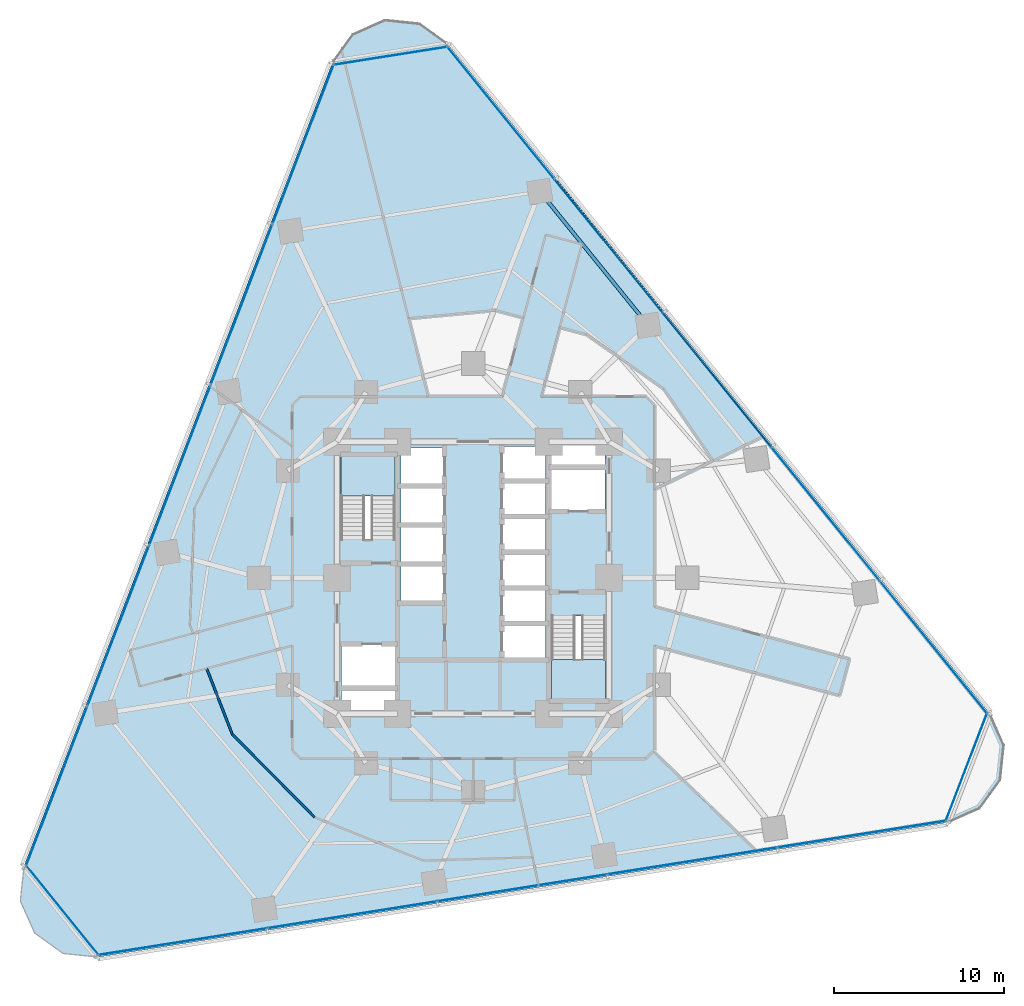
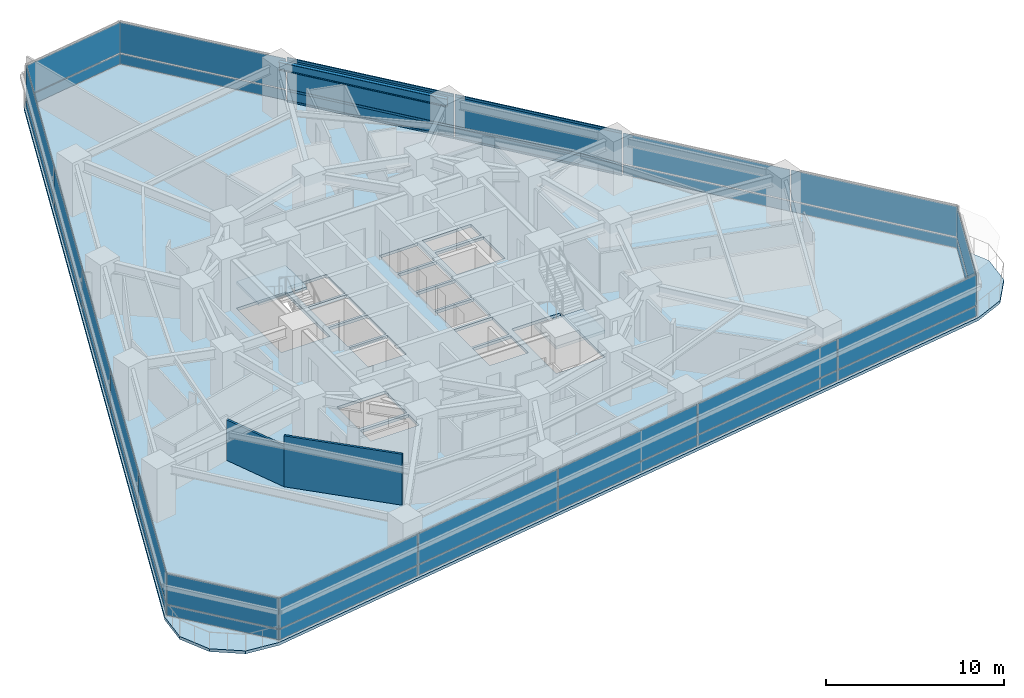
# One storey, part 6 of 14: 36 plates, 6 members, 3 slabs, 2 walls, 1 beam, 8 elements without a shape of their own.
"""IFC4 building model written with IfcOpenShell, lengths in metres."""

from ifc_helpers import new_model, si_unit, direction, frame, frame_2d, origin, origin_2d, place, context, subcontext, project, spatial, polyline, rectangle, i_section, outline, extrude, material, layer, layer_set, material_profile, profile_set, type_object, element, aggregate, save


model = new_model("IFC4")

# Units and contexts
model_context = context("Model", 3, precision=1e-05, world=origin(), true_north=direction((0.0, 1.0)))
body_context = subcontext(model_context, "Body", "Model", "MODEL_VIEW")
ifc_project = project(units=[si_unit("LENGTHUNIT", "METRE"), si_unit("AREAUNIT", "SQUARE_METRE"), si_unit("VOLUMEUNIT", "CUBIC_METRE"), si_unit("PLANEANGLEUNIT", "RADIAN"), si_unit("MASSUNIT", "GRAM", prefix="KILO")], contexts=[model_context])

# Site, building, storey
site_placement = place(None, origin())
site = spatial("IfcSite", under=ifc_project, at=site_placement, CompositionType="ELEMENT")
building_placement = place(site_placement, origin())
building = spatial("IfcBuilding", under=site, at=building_placement, Name="Terralouvre Media Tower", CompositionType="ELEMENT")
storey_placement = place(building_placement, frame((0.0, 0.0, 70.39990234375)))
storey = spatial("IfcBuildingStorey", under=building, at=storey_placement, Name="L17", CompositionType="ELEMENT", Elevation=70.39990234375)

# Curtain wall, members
ifc_material_1 = material(Name="Low-iron laminated double glazing with solar-control coating", Category="glass")
ifc_layer_1 = layer(ifc_material_1, 0.1650390625, Name="Lower Media Tower Unitised Curtain Wall CW-02")
ifc_layer_set_1 = layer_set([ifc_layer_1], Name="Low-iron laminated double glazing with solar-control coating")
curtain_wall_type_1 = type_object("IfcCurtainWallType", Name="Lower Media Tower Unitised Curtain Wall CW-02", PredefinedType="NOTDEFINED", material=ifc_layer_set_1)
curtain_wall_1_placement = place(storey_placement, origin())
curtain_wall_1 = element("IfcCurtainWall", 1, at=curtain_wall_1_placement, inside=storey, type_object=curtain_wall_type_1, Name="L17 Facade Curtain Wall F1", PredefinedType="NOTDEFINED")
ifc_material_2 = material(Name="Anodised extruded aluminium 6063-T6", Category="aluminium")
ifc_material_profile_1 = material_profile(ifc_material_2, rectangle(XDim=0.074951171875, YDim=0.14990234375, at=origin_2d()), Name="ALU 75x150")
ifc_profile_set_1 = profile_set([ifc_material_profile_1], Name="Anodised extruded aluminium 6063-T6")
member_type = type_object("IfcMemberType", Name="Curtain-Wall Horizontal Transom TR-150", PredefinedType="USERDEFINED", material=ifc_profile_set_1)
member_1_placement = place(storey_placement, frame((17.523681640625, 7.72265625, 0.03759765625), z_axis=(-0.629319084722, 0.777147019299, 0.0), x_axis=(-0.777147019299, -0.629319084722, 0.0)))
member_1 = element("IfcMember", 2, at=member_1_placement, type_object=member_type, Name="CW-02 transom 3.1", ObjectType="TRANSOM", PredefinedType="USERDEFINED", context=body_context, shape_type="SweptSolid", body=[
    extrude(rectangle(XDim=0.074951171875, YDim=0.14990234375, at=origin_2d()), origin(), (0.0, 0.0, 1.0), 10.052734375),
])
member_2_placement = place(storey_placement, frame((17.523681640625, 7.72265625, 0.800048828125), z_axis=(-0.629319084722, 0.777147019299, 0.0), x_axis=(-0.777147019299, -0.629319084722, 0.0)))
member_2 = element("IfcMember", 3, at=member_2_placement, type_object=member_type, Name="CW-02 transom 3.2", ObjectType="TRANSOM", PredefinedType="USERDEFINED", context=body_context, shape_type="SweptSolid", body=[
    extrude(rectangle(XDim=0.074951171875, YDim=0.14990234375, at=origin_2d()), origin(), (0.0, 0.0, 1.0), 10.052734375),
])
member_3_placement = place(storey_placement, frame((17.523681640625, 7.72265625, 2.962646484375), z_axis=(-0.629319084722, 0.777147019299, 0.0), x_axis=(-0.777147019299, -0.629319084722, 0.0)))
member_3 = element("IfcMember", 4, at=member_3_placement, type_object=member_type, Name="CW-02 transom 3.3", ObjectType="TRANSOM", PredefinedType="USERDEFINED", context=body_context, shape_type="SweptSolid", body=[
    extrude(rectangle(XDim=0.074951171875, YDim=0.14990234375, at=origin_2d()), origin(), (0.0, 0.0, 1.0), 10.052734375),
])
member_4_placement = place(storey_placement, frame((11.14990234375, 15.593505859375, 0.03759765625), z_axis=(-0.629307207311, 0.777156637253, 0.0), x_axis=(-0.777156637253, -0.629307207311, 0.0)))
member_4 = element("IfcMember", 5, at=member_4_placement, type_object=member_type, Name="CW-02 transom 4.1", ObjectType="TRANSOM", PredefinedType="USERDEFINED", context=body_context, shape_type="SweptSolid", body=[
    extrude(rectangle(XDim=0.074951171875, YDim=0.14990234375, at=origin_2d()), origin(), (0.0, 0.0, 1.0), 10.052978515625),
])
member_5_placement = place(storey_placement, frame((11.14990234375, 15.593505859375, 0.800048828125), z_axis=(-0.629307207311, 0.777156637253, 0.0), x_axis=(-0.777156637253, -0.629307207311, 0.0)))
member_5 = element("IfcMember", 6, at=member_5_placement, type_object=member_type, Name="CW-02 transom 4.2", ObjectType="TRANSOM", PredefinedType="USERDEFINED", context=body_context, shape_type="SweptSolid", body=[
    extrude(rectangle(XDim=0.074951171875, YDim=0.14990234375, at=origin_2d()), origin(), (0.0, 0.0, 1.0), 10.052978515625),
])
member_6_placement = place(storey_placement, frame((11.14990234375, 15.593505859375, 2.962646484375), z_axis=(-0.629307207311, 0.777156637253, 0.0), x_axis=(-0.777156637253, -0.629307207311, 0.0)))
member_6 = element("IfcMember", 7, at=member_6_placement, type_object=member_type, Name="CW-02 transom 4.3", ObjectType="TRANSOM", PredefinedType="USERDEFINED", context=body_context, shape_type="SweptSolid", body=[
    extrude(rectangle(XDim=0.074951171875, YDim=0.14990234375, at=origin_2d()), origin(), (0.0, 0.0, 1.0), 10.052978515625),
])

# Beam
ifc_material_3 = material(Name="Structural steel S355J2", Category="steel")
ifc_material_profile_2 = material_profile(ifc_material_3, i_section(OverallWidth=0.2099609375, OverallDepth=0.550048828125, WebThickness=0.010986328125, FlangeThickness=0.01708984375, at=origin_2d()), Name="IPE 550")
ifc_profile_set_2 = profile_set([ifc_material_profile_2], Name="Structural steel S355J2")
beam_type = type_object("IfcBeamType", Name="Perimeter Spandrel Beam SPB-550 (IPE 550)", PredefinedType="SPANDREL", material=ifc_profile_set_2)
beam_placement = place(storey_placement, frame((10.29541015625, 14.853271484375, 3.22509765625), z_axis=(-0.629325814949, 0.777141569239, 0.0), x_axis=(-0.777141569239, -0.629325814949, 0.0)))
element("IfcBeam", 8, at=beam_placement, inside=storey, type_object=beam_type, Name="L17 Framing Beam BM-L17-PR08", PredefinedType="SPANDREL", context=body_context, shape_type="SweptSolid", body=[
    extrude(i_section(OverallWidth=0.2099609375, OverallDepth=0.550048828125, WebThickness=0.010986328125, FlangeThickness=0.01708984375, at=origin_2d()), origin(), (0.0, 0.0, 1.0), 10.1279296875),
])

# Slab
ifc_material_4 = material(Name="Concrete C40/50", Category="concrete")
ifc_layer_2 = layer(ifc_material_4, 0.199951171875, Name="Composite Tower Floor Slab S-TYP200")
ifc_layer_set_2 = layer_set([ifc_layer_2], Name="Concrete C40/50")
slab_type_1 = type_object("IfcSlabType", Name="Composite Tower Floor Slab S-TYP200", PredefinedType="FLOOR", material=ifc_layer_set_2)
slab_1_placement = place(storey_placement, frame((0.0, 0.0, -0.199951171875), z_axis=(0.0, 0.0, 1.0), x_axis=(0.987688340595, 0.15643446504, 0.0)))
element("IfcSlab", 9, at=slab_1_placement, inside=storey, type_object=slab_type_1, Name="L17 Structural Floor Slab", PredefinedType="FLOOR", context=body_context, shape_type="SweptSolid", body=[
    extrude(outline(polyline([(-28.766845703125, -12.62841796875), (-29.300048828125, -14.618408203125), (-28.766845703125, -16.6083984375), (-27.31005859375, -18.065185546875), (-25.320068359375, -18.598388671875), (25.320068359375, -18.598388671875), (27.31005859375, -18.065185546875), (28.766845703125, -16.6083984375), (29.300048828125, -14.618408203125), (28.766845703125, -12.62841796875), (3.44677734375, 31.22705078125), (1.989990234375, 32.683837890625), (0.0, 33.217041015625), (-1.989990234375, 32.683837890625), (-3.44677734375, 31.22705078125), (-28.766845703125, -12.62841796875)]), holes=[polyline([(-5.763671875, -6.984375), (-8.874755859375, -6.49169921875), (-8.68701171875, -5.306396484375), (-5.575927734375, -5.799072265625), (-5.763671875, -6.984375)]), polyline([(-5.54443359375, -5.6015625), (-8.65576171875, -5.10888671875), (-8.2724609375, -2.68896484375), (-5.161376953125, -3.181884765625), (-5.54443359375, -5.6015625)]), polyline([(-1.95068359375, -1.128662109375), (-4.419921875, -0.73779296875), (-4.0849609375, 1.3759765625), (-1.61572265625, 0.98486328125), (-1.95068359375, -1.128662109375)]), polyline([(-1.5908203125, 1.142822265625), (-4.06005859375, 1.533935546875), (-3.725341796875, 3.647705078125), (-1.256103515625, 3.256591796875), (-1.5908203125, 1.142822265625)]), polyline([(4.44482421875, 0.895751953125), (1.9755859375, 1.286865234375), (2.279052734375, 3.202880859375), (4.748291015625, 2.811767578125), (4.44482421875, 0.895751953125)]), polyline([(-1.23095703125, 3.41455078125), (-3.7001953125, 3.8056640625), (-3.365478515625, 5.91943359375), (-0.896240234375, 5.5283203125), (-1.23095703125, 3.41455078125)]), polyline([(-4.192138671875, 2.93701171875), (-7.3330078125, 3.434326171875), (-6.548583984375, 8.3876953125), (-3.40771484375, 7.89013671875), (-4.192138671875, 2.93701171875)]), polyline([(-0.87109375, 5.686279296875), (-3.34033203125, 6.077392578125), (-3.005615234375, 8.19091796875), (-0.536376953125, 7.800048828125), (-0.87109375, 5.686279296875)]), polyline([(4.192138671875, -2.93701171875), (7.3330078125, -3.434326171875), (6.548583984375, -8.3876953125), (3.40771484375, -7.89013671875), (4.192138671875, -2.93701171875)]), polyline([(3.459228515625, -5.32666015625), (0.989990234375, -4.935546875), (1.29345703125, -3.01953125), (3.7626953125, -3.41064453125), (3.459228515625, -5.32666015625)]), polyline([(3.787841796875, -3.252685546875), (1.318603515625, -2.861572265625), (1.6220703125, -0.9453125), (4.09130859375, -1.33642578125), (3.787841796875, -3.252685546875)]), polyline([(4.1162109375, -1.178466796875), (1.647216796875, -0.787353515625), (1.95068359375, 1.128662109375), (4.419921875, 0.73779296875), (4.1162109375, -1.178466796875)]), polyline([(4.7734375, 2.9697265625), (2.30419921875, 3.36083984375), (2.607666015625, 5.277099609375), (5.076904296875, 4.885986328125), (4.7734375, 2.9697265625)]), polyline([(8.2724609375, 2.68896484375), (5.161376953125, 3.181884765625), (5.54443359375, 5.6015625), (8.65576171875, 5.10888671875), (8.2724609375, 2.68896484375)]), polyline([(5.101806640625, 5.0439453125), (2.632568359375, 5.43505859375), (2.93603515625, 7.35107421875), (5.4052734375, 6.960205078125), (5.101806640625, 5.0439453125)]), polyline([(8.68701171875, 5.306396484375), (5.575927734375, 5.799072265625), (5.763671875, 6.984375), (8.874755859375, 6.49169921875), (8.68701171875, 5.306396484375)])]), origin(), (0.0, 0.0, 1.0), 0.199951171875),
])

# Stair, slab
ifc_material_5 = material(Name="Concrete C45/55", Category="concrete")
stair_type_1 = type_object("IfcStairType", Name="Dogleg Stair Assembly ST-01", PredefinedType="HALF_TURN_STAIR", material=ifc_material_5)
stair_1_placement = place(storey_placement, origin())
stair_1 = element("IfcStair", 10, at=stair_1_placement, inside=storey, type_object=stair_type_1, Name="L17 Core Pressurised Exit Stair ST-01", PredefinedType="HALF_TURN_STAIR")
ifc_material_6 = material(Name="Concrete C45/55", Category="concrete")
ifc_layer_3 = layer(ifc_material_6, 0.199951171875, Name="Reinforced Concrete Stair Half-Landing SL-LD1")
ifc_layer_set_3 = layer_set([ifc_layer_3], Name="Concrete C45/55")
slab_type_2 = type_object("IfcSlabType", Name="Reinforced Concrete Stair Half-Landing SL-LD1", PredefinedType="LANDING", material=ifc_layer_set_3)
slab_2_placement = place(storey_placement, frame((0.0, 0.0, 1.650146484375)))
slab_2 = element("IfcSlab", 11, at=slab_2_placement, type_object=slab_type_2, Name="ST-01 landing 1", PredefinedType="LANDING", context=body_context, shape_type="SweptSolid", body=[
    extrude(outline(polyline([(-4.60009765625, 4.820068359375), (-4.60009765625, 7.260009765625), (-7.780029296875, 7.260009765625), (-7.780029296875, 4.820068359375), (-4.60009765625, 4.820068359375)])), origin(), (0.0, 0.0, 1.0), 0.199951171875),
])
aggregate(stair_1, [slab_2])

ifc_material_7 = material(Name="Concrete C45/55", Category="concrete")
stair_type_2 = type_object("IfcStairType", Name="Dogleg Stair Assembly ST-02", PredefinedType="HALF_TURN_STAIR", material=ifc_material_7)
stair_2_placement = place(storey_placement, origin())
stair_2 = element("IfcStair", 12, at=stair_2_placement, inside=storey, type_object=stair_type_2, Name="L17 Core Pressurised Exit Stair ST-02", PredefinedType="HALF_TURN_STAIR")
slab_3_placement = place(storey_placement, frame((0.0, 0.0, 1.650146484375)))
slab_3 = element("IfcSlab", 13, at=slab_3_placement, type_object=slab_type_2, Name="ST-02 landing 1", PredefinedType="LANDING", context=body_context, shape_type="SweptSolid", body=[
    extrude(outline(polyline([(4.60009765625, -4.820068359375), (4.60009765625, -7.260009765625), (7.780029296875, -7.260009765625), (7.780029296875, -4.820068359375), (4.60009765625, -4.820068359375)])), origin(), (0.0, 0.0, 1.0), 0.199951171875),
])
aggregate(stair_2, [slab_3])

# Curtain wall, plates
ifc_material_8 = material(Name="Low-iron laminated double glazing with solar-control coating", Category="glass")
ifc_layer_4 = layer(ifc_material_8, 0.1650390625, Name="Rounded Wind-Corner Curved Glazing CW-04")
ifc_layer_set_4 = layer_set([ifc_layer_4], Name="Low-iron laminated double glazing with solar-control coating")
curtain_wall_type_2 = type_object("IfcCurtainWallType", Name="Rounded Wind-Corner Curved Glazing CW-04", PredefinedType="NOTDEFINED", material=ifc_layer_set_4)
curtain_wall_2_placement = place(storey_placement, origin())
curtain_wall_2 = element("IfcCurtainWall", 14, at=curtain_wall_2_placement, inside=storey, type_object=curtain_wall_type_2, Name="L17 Rounded Wind-Corner Curtain Wall C0", PredefinedType="NOTDEFINED")
ifc_material_9 = material(Name="Low-iron laminated double glazing with solar-control coating", Category="glass")
ifc_layer_5 = layer(ifc_material_9, 0.0400390625, Name="Rounded Corner Laminated Vision Panel CWP-03")
ifc_layer_set_5 = layer_set([ifc_layer_5], Name="Low-iron laminated double glazing with solar-control coating")
plate_type_1 = type_object("IfcPlateType", Name="Rounded Corner Laminated Vision Panel CWP-03", PredefinedType="CURTAIN_PANEL", material=ifc_layer_set_5)
plate_1_placement = place(storey_placement, frame((-24.1591796875, -19.563720703125, 0.0751953125), z_axis=(0.0, 0.0, 1.0), x_axis=(0.629320031936, -0.777146252262, 0.0)))
plate_1 = element("IfcPlate", 15, at=plate_1_placement, type_object=plate_type_1, Name="CW-04 panel 1.1", PredefinedType="CURTAIN_PANEL", context=body_context, shape_type="SweptSolid", body=[
    extrude(rectangle(XDim=6.74365234375, YDim=0.035888671875, at=origin_2d()), origin(), (0.0, 0.0, 1.0), 0.6875),
])
plate_2_placement = place(storey_placement, frame((-24.1591796875, -19.563720703125, 0.837646484375), z_axis=(0.0, 0.0, 1.0), x_axis=(0.629320031936, -0.777146252262, 0.0)))
plate_2 = element("IfcPlate", 16, at=plate_2_placement, type_object=plate_type_1, Name="CW-04 panel 1.2", PredefinedType="CURTAIN_PANEL", context=body_context, shape_type="SweptSolid", body=[
    extrude(rectangle(XDim=6.74365234375, YDim=0.035888671875, at=origin_2d()), origin(), (0.0, 0.0, 1.0), 2.08740234375),
])
aggregate(curtain_wall_2, [plate_1, plate_2])

curtain_wall_3_placement = place(storey_placement, origin())
curtain_wall_3 = element("IfcCurtainWall", 17, at=curtain_wall_3_placement, inside=storey, type_object=curtain_wall_type_2, Name="L17 Rounded Wind-Corner Curtain Wall C1", PredefinedType="NOTDEFINED")
plate_3_placement = place(storey_placement, frame((29.022216796875, -11.140625, 0.0751953125), z_axis=(0.0, 0.0, 1.0), x_axis=(0.358367472863, 0.933580609478, 0.0)))
plate_3 = element("IfcPlate", 18, at=plate_3_placement, type_object=plate_type_1, Name="CW-04 panel 1.1", PredefinedType="CURTAIN_PANEL", context=body_context, shape_type="SweptSolid", body=[
    extrude(rectangle(XDim=6.74365234375, YDim=0.035888671875, at=origin_2d()), origin(), (0.0, 0.0, 1.0), 0.6875),
])
plate_4_placement = place(storey_placement, frame((29.022216796875, -11.140625, 0.837646484375), z_axis=(0.0, 0.0, 1.0), x_axis=(0.358367472863, 0.933580609478, 0.0)))
plate_4 = element("IfcPlate", 19, at=plate_4_placement, type_object=plate_type_1, Name="CW-04 panel 1.2", PredefinedType="CURTAIN_PANEL", context=body_context, shape_type="SweptSolid", body=[
    extrude(rectangle(XDim=6.74365234375, YDim=0.035888671875, at=origin_2d()), origin(), (0.0, 0.0, 1.0), 2.08740234375),
])
aggregate(curtain_wall_3, [plate_3, plate_4])

curtain_wall_4_placement = place(storey_placement, origin())
curtain_wall_4 = element("IfcCurtainWall", 20, at=curtain_wall_4_placement, inside=storey, type_object=curtain_wall_type_2, Name="L17 Rounded Wind-Corner Curtain Wall C2", PredefinedType="NOTDEFINED")
plate_5_placement = place(storey_placement, frame((-4.863037109375, 30.704345703125, 0.0751953125), z_axis=(0.0, 0.0, 1.0), x_axis=(-0.987688353034, -0.156434386502, 0.0)))
plate_5 = element("IfcPlate", 21, at=plate_5_placement, type_object=plate_type_1, Name="CW-04 panel 1.1", PredefinedType="CURTAIN_PANEL", context=body_context, shape_type="SweptSolid", body=[
    extrude(rectangle(XDim=6.74365234375, YDim=0.035888671875, at=origin_2d()), origin(), (0.0, 0.0, 1.0), 0.6875),
])
plate_6_placement = place(storey_placement, frame((-4.863037109375, 30.704345703125, 0.837646484375), z_axis=(0.0, 0.0, 1.0), x_axis=(-0.987688353034, -0.156434386502, 0.0)))
plate_6 = element("IfcPlate", 22, at=plate_6_placement, type_object=plate_type_1, Name="CW-04 panel 1.2", PredefinedType="CURTAIN_PANEL", context=body_context, shape_type="SweptSolid", body=[
    extrude(rectangle(XDim=6.74365234375, YDim=0.035888671875, at=origin_2d()), origin(), (0.0, 0.0, 1.0), 2.08740234375),
])
aggregate(curtain_wall_4, [plate_5, plate_6])

curtain_wall_5_placement = place(storey_placement, origin())
curtain_wall_5 = element("IfcCurtainWall", 23, at=curtain_wall_5_placement, inside=storey, type_object=curtain_wall_type_1, Name="L17 Facade Curtain Wall F0", PredefinedType="NOTDEFINED")
ifc_material_10 = material(Name="Low-iron laminated double glazing with solar-control coating", Category="glass")
ifc_layer_6 = layer(ifc_material_10, 0.035888671875, Name="Vision Double-Glazed Unit CWP-01")
ifc_layer_set_6 = layer_set([ifc_layer_6], Name="Low-iron laminated double glazing with solar-control coating")
plate_type_2 = type_object("IfcPlateType", Name="Vision Double-Glazed Unit CWP-01", PredefinedType="CURTAIN_PANEL", material=ifc_layer_set_6)
plate_7_placement = place(storey_placement, frame((-17.097412109375, -21.416748046875, 0.0751953125), z_axis=(0.0, 0.0, 1.0), x_axis=(0.987688340934, 0.156434462903, 0.0)))
plate_7 = element("IfcPlate", 24, at=plate_7_placement, type_object=plate_type_2, Name="CW-02 panel 1.1", PredefinedType="CURTAIN_PANEL", context=body_context, shape_type="SweptSolid", body=[
    extrude(rectangle(XDim=10.015380859375, YDim=0.035888671875, at=origin_2d()), origin(), (0.0, 0.0, 1.0), 0.6875),
])
plate_8_placement = place(storey_placement, frame((-17.097412109375, -21.416748046875, 0.837646484375), z_axis=(0.0, 0.0, 1.0), x_axis=(0.987688340934, 0.156434462903, 0.0)))
plate_8 = element("IfcPlate", 25, at=plate_8_placement, type_object=plate_type_2, Name="CW-02 panel 1.2", PredefinedType="CURTAIN_PANEL", context=body_context, shape_type="SweptSolid", body=[
    extrude(rectangle(XDim=10.015380859375, YDim=0.035888671875, at=origin_2d()), origin(), (0.0, 0.0, 1.0), 2.08740234375),
])
plate_9_placement = place(storey_placement, frame((-7.112548828125, -19.83544921875, 0.0751953125), z_axis=(0.0, 0.0, 1.0), x_axis=(0.987688340934, 0.156434462903, 0.0)))
plate_9 = element("IfcPlate", 26, at=plate_9_placement, type_object=plate_type_2, Name="CW-02 panel 2.1", PredefinedType="CURTAIN_PANEL", context=body_context, shape_type="SweptSolid", body=[
    extrude(rectangle(XDim=10.052978515625, YDim=0.035888671875, at=origin_2d()), origin(), (0.0, 0.0, 1.0), 0.6875),
])
plate_10_placement = place(storey_placement, frame((-7.112548828125, -19.83544921875, 0.837646484375), z_axis=(0.0, 0.0, 1.0), x_axis=(0.987688340934, 0.156434462903, 0.0)))
plate_10 = element("IfcPlate", 27, at=plate_10_placement, type_object=plate_type_2, Name="CW-02 panel 2.2", PredefinedType="CURTAIN_PANEL", context=body_context, shape_type="SweptSolid", body=[
    extrude(rectangle(XDim=10.052978515625, YDim=0.035888671875, at=origin_2d()), origin(), (0.0, 0.0, 1.0), 2.08740234375),
])
plate_11_placement = place(storey_placement, frame((2.890625, -18.2509765625, 0.0751953125), z_axis=(0.0, 0.0, 1.0), x_axis=(0.987688340934, 0.156434462903, 0.0)))
plate_11 = element("IfcPlate", 28, at=plate_11_placement, type_object=plate_type_2, Name="CW-02 panel 3.1", PredefinedType="CURTAIN_PANEL", context=body_context, shape_type="SweptSolid", body=[
    extrude(rectangle(XDim=10.052978515625, YDim=0.035888671875, at=origin_2d()), origin(), (0.0, 0.0, 1.0), 0.6875),
])
plate_12_placement = place(storey_placement, frame((2.890625, -18.2509765625, 0.837646484375), z_axis=(0.0, 0.0, 1.0), x_axis=(0.987688340934, 0.156434462903, 0.0)))
plate_12 = element("IfcPlate", 29, at=plate_12_placement, type_object=plate_type_2, Name="CW-02 panel 3.2", PredefinedType="CURTAIN_PANEL", context=body_context, shape_type="SweptSolid", body=[
    extrude(rectangle(XDim=10.052978515625, YDim=0.035888671875, at=origin_2d()), origin(), (0.0, 0.0, 1.0), 2.08740234375),
])
plate_13_placement = place(storey_placement, frame((12.89404296875, -16.666748046875, 0.0751953125), z_axis=(0.0, 0.0, 1.0), x_axis=(0.987688340934, 0.156434462903, 0.0)))
plate_13 = element("IfcPlate", 30, at=plate_13_placement, type_object=plate_type_2, Name="CW-02 panel 4.1", PredefinedType="CURTAIN_PANEL", context=body_context, shape_type="SweptSolid", body=[
    extrude(rectangle(XDim=10.052978515625, YDim=0.035888671875, at=origin_2d()), origin(), (0.0, 0.0, 1.0), 0.6875),
])
plate_14_placement = place(storey_placement, frame((12.89404296875, -16.666748046875, 0.837646484375), z_axis=(0.0, 0.0, 1.0), x_axis=(0.987688340934, 0.156434462903, 0.0)))
plate_14 = element("IfcPlate", 31, at=plate_14_placement, type_object=plate_type_2, Name="CW-02 panel 4.2", PredefinedType="CURTAIN_PANEL", context=body_context, shape_type="SweptSolid", body=[
    extrude(rectangle(XDim=10.052978515625, YDim=0.035888671875, at=origin_2d()), origin(), (0.0, 0.0, 1.0), 2.08740234375),
])
plate_15_placement = place(storey_placement, frame((22.878662109375, -15.085205078125, 0.0751953125), z_axis=(0.0, 0.0, 1.0), x_axis=(0.987688340934, 0.156434462903, 0.0)))
plate_15 = element("IfcPlate", 32, at=plate_15_placement, type_object=plate_type_2, Name="CW-02 panel 5.1", PredefinedType="CURTAIN_PANEL", context=body_context, shape_type="SweptSolid", body=[
    extrude(rectangle(XDim=10.015380859375, YDim=0.035888671875, at=origin_2d()), origin(), (0.0, 0.0, 1.0), 0.6875),
])
plate_16_placement = place(storey_placement, frame((22.878662109375, -15.085205078125, 0.837646484375), z_axis=(0.0, 0.0, 1.0), x_axis=(0.987688340934, 0.156434462903, 0.0)))
plate_16 = element("IfcPlate", 33, at=plate_16_placement, type_object=plate_type_2, Name="CW-02 panel 5.2", PredefinedType="CURTAIN_PANEL", context=body_context, shape_type="SweptSolid", body=[
    extrude(rectangle(XDim=10.015380859375, YDim=0.035888671875, at=origin_2d()), origin(), (0.0, 0.0, 1.0), 2.08740234375),
])
aggregate(curtain_wall_5, [plate_7, plate_8, plate_9, plate_10, plate_11, plate_12, plate_13, plate_14, plate_15, plate_16])

# Plate
plate_17_placement = place(storey_placement, frame((27.09619140625, -4.098388671875, 0.0751953125), z_axis=(0.0, 0.0, 1.0), x_axis=(-0.629320350521, 0.777145994276, 0.0)))
plate_17 = element("IfcPlate", 34, at=plate_17_placement, type_object=plate_type_2, Name="CW-02 panel 1.1", PredefinedType="CURTAIN_PANEL", context=body_context, shape_type="SweptSolid", body=[
    extrude(rectangle(XDim=10.015380859375, YDim=0.035888671875, at=origin_2d()), origin(), (0.0, 0.0, 1.0), 0.6875),
])

plate_18_placement = place(storey_placement, frame((27.09619140625, -4.098388671875, 0.837646484375), z_axis=(0.0, 0.0, 1.0), x_axis=(-0.629320350521, 0.777145994276, 0.0)))
plate_18 = element("IfcPlate", 35, at=plate_18_placement, type_object=plate_type_2, Name="CW-02 panel 1.2", PredefinedType="CURTAIN_PANEL", context=body_context, shape_type="SweptSolid", body=[
    extrude(rectangle(XDim=10.015380859375, YDim=0.035888671875, at=origin_2d()), origin(), (0.0, 0.0, 1.0), 2.08740234375),
])

plate_19_placement = place(storey_placement, frame((20.734375, 3.758056640625, 0.0751953125), z_axis=(0.0, 0.0, 1.0), x_axis=(-0.629320350521, 0.777145994276, 0.0)))
plate_19 = element("IfcPlate", 36, at=plate_19_placement, type_object=plate_type_2, Name="CW-02 panel 2.1", PredefinedType="CURTAIN_PANEL", context=body_context, shape_type="SweptSolid", body=[
    extrude(rectangle(XDim=10.052978515625, YDim=0.035888671875, at=origin_2d()), origin(), (0.0, 0.0, 1.0), 0.6875),
])

plate_20_placement = place(storey_placement, frame((20.734375, 3.758056640625, 0.837646484375), z_axis=(0.0, 0.0, 1.0), x_axis=(-0.629320350521, 0.777145994276, 0.0)))
plate_20 = element("IfcPlate", 37, at=plate_20_placement, type_object=plate_type_2, Name="CW-02 panel 2.2", PredefinedType="CURTAIN_PANEL", context=body_context, shape_type="SweptSolid", body=[
    extrude(rectangle(XDim=10.052978515625, YDim=0.035888671875, at=origin_2d()), origin(), (0.0, 0.0, 1.0), 2.08740234375),
])

plate_21_placement = place(storey_placement, frame((14.360595703125, 11.62890625, 0.0751953125), z_axis=(0.0, 0.0, 1.0), x_axis=(-0.629320350521, 0.777145994276, 0.0)))
plate_21 = element("IfcPlate", 38, at=plate_21_placement, type_object=plate_type_2, Name="CW-02 panel 3.1", PredefinedType="CURTAIN_PANEL", context=body_context, shape_type="SweptSolid", body=[
    extrude(rectangle(XDim=10.052978515625, YDim=0.035888671875, at=origin_2d()), origin(), (0.0, 0.0, 1.0), 0.6875),
])

plate_22_placement = place(storey_placement, frame((14.360595703125, 11.62890625, 0.837646484375), z_axis=(0.0, 0.0, 1.0), x_axis=(-0.629320350521, 0.777145994276, 0.0)))
plate_22 = element("IfcPlate", 39, at=plate_22_placement, type_object=plate_type_2, Name="CW-02 panel 3.2", PredefinedType="CURTAIN_PANEL", context=body_context, shape_type="SweptSolid", body=[
    extrude(rectangle(XDim=10.052978515625, YDim=0.035888671875, at=origin_2d()), origin(), (0.0, 0.0, 1.0), 2.08740234375),
])

plate_23_placement = place(storey_placement, frame((7.98681640625, 19.499755859375, 0.0751953125), z_axis=(0.0, 0.0, 1.0), x_axis=(-0.629320350521, 0.777145994276, 0.0)))
plate_23 = element("IfcPlate", 40, at=plate_23_placement, type_object=plate_type_2, Name="CW-02 panel 4.1", PredefinedType="CURTAIN_PANEL", context=body_context, shape_type="SweptSolid", body=[
    extrude(rectangle(XDim=10.052978515625, YDim=0.035888671875, at=origin_2d()), origin(), (0.0, 0.0, 1.0), 0.6875),
])

plate_24_placement = place(storey_placement, frame((7.98681640625, 19.499755859375, 0.837646484375), z_axis=(0.0, 0.0, 1.0), x_axis=(-0.629320350521, 0.777145994276, 0.0)))
plate_24 = element("IfcPlate", 41, at=plate_24_placement, type_object=plate_type_2, Name="CW-02 panel 4.2", PredefinedType="CURTAIN_PANEL", context=body_context, shape_type="SweptSolid", body=[
    extrude(rectangle(XDim=10.052978515625, YDim=0.035888671875, at=origin_2d()), origin(), (0.0, 0.0, 1.0), 2.08740234375),
])

plate_25_placement = place(storey_placement, frame((1.624755859375, 27.356201171875, 0.0751953125), z_axis=(0.0, 0.0, 1.0), x_axis=(-0.629320350521, 0.777145994276, 0.0)))
plate_25 = element("IfcPlate", 42, at=plate_25_placement, type_object=plate_type_2, Name="CW-02 panel 5.1", PredefinedType="CURTAIN_PANEL", context=body_context, shape_type="SweptSolid", body=[
    extrude(rectangle(XDim=10.015380859375, YDim=0.035888671875, at=origin_2d()), origin(), (0.0, 0.0, 1.0), 0.6875),
])

plate_26_placement = place(storey_placement, frame((1.624755859375, 27.356201171875, 0.837646484375), z_axis=(0.0, 0.0, 1.0), x_axis=(-0.629320350521, 0.777145994276, 0.0)))
plate_26 = element("IfcPlate", 43, at=plate_26_placement, type_object=plate_type_2, Name="CW-02 panel 5.2", PredefinedType="CURTAIN_PANEL", context=body_context, shape_type="SweptSolid", body=[
    extrude(rectangle(XDim=10.015380859375, YDim=0.035888671875, at=origin_2d()), origin(), (0.0, 0.0, 1.0), 2.08740234375),
])

aggregate(curtain_wall_1, [plate_17, plate_18, plate_19, plate_20, member_1, member_2, member_3, plate_21, plate_22, member_4, member_5, member_6, plate_23, plate_24, plate_25, plate_26])

# Curtain wall, plates
curtain_wall_6_placement = place(storey_placement, origin())
curtain_wall_6 = element("IfcCurtainWall", 44, at=curtain_wall_6_placement, inside=storey, type_object=curtain_wall_type_1, Name="L17 Facade Curtain Wall F2", PredefinedType="NOTDEFINED")
plate_27_placement = place(storey_placement, frame((-9.998779296875, 25.51513671875, 0.0751953125), z_axis=(0.0, 0.0, 1.0), x_axis=(-0.358367917006, -0.933580438988, 0.0)))
plate_27 = element("IfcPlate", 45, at=plate_27_placement, type_object=plate_type_2, Name="CW-02 panel 1.1", PredefinedType="CURTAIN_PANEL", context=body_context, shape_type="SweptSolid", body=[
    extrude(rectangle(XDim=10.015380859375, YDim=0.035888671875, at=origin_2d()), origin(), (0.0, 0.0, 1.0), 0.6875),
])
plate_28_placement = place(storey_placement, frame((-9.998779296875, 25.51513671875, 0.837646484375), z_axis=(0.0, 0.0, 1.0), x_axis=(-0.358367917006, -0.933580438988, 0.0)))
plate_28 = element("IfcPlate", 46, at=plate_28_placement, type_object=plate_type_2, Name="CW-02 panel 1.2", PredefinedType="CURTAIN_PANEL", context=body_context, shape_type="SweptSolid", body=[
    extrude(rectangle(XDim=10.015380859375, YDim=0.035888671875, at=origin_2d()), origin(), (0.0, 0.0, 1.0), 2.08740234375),
])
plate_29_placement = place(storey_placement, frame((-13.62158203125, 16.077392578125, 0.0751953125), z_axis=(0.0, 0.0, 1.0), x_axis=(-0.358367917006, -0.933580438988, 0.0)))
plate_29 = element("IfcPlate", 47, at=plate_29_placement, type_object=plate_type_2, Name="CW-02 panel 2.1", PredefinedType="CURTAIN_PANEL", context=body_context, shape_type="SweptSolid", body=[
    extrude(rectangle(XDim=10.052978515625, YDim=0.035888671875, at=origin_2d()), origin(), (0.0, 0.0, 1.0), 0.6875),
])
plate_30_placement = place(storey_placement, frame((-13.62158203125, 16.077392578125, 0.837646484375), z_axis=(0.0, 0.0, 1.0), x_axis=(-0.358367917006, -0.933580438988, 0.0)))
plate_30 = element("IfcPlate", 48, at=plate_30_placement, type_object=plate_type_2, Name="CW-02 panel 2.2", PredefinedType="CURTAIN_PANEL", context=body_context, shape_type="SweptSolid", body=[
    extrude(rectangle(XDim=10.052978515625, YDim=0.035888671875, at=origin_2d()), origin(), (0.0, 0.0, 1.0), 2.08740234375),
])
plate_31_placement = place(storey_placement, frame((-17.251220703125, 6.6220703125, 0.0751953125), z_axis=(0.0, 0.0, 1.0), x_axis=(-0.358367917006, -0.933580438988, 0.0)))
plate_31 = element("IfcPlate", 49, at=plate_31_placement, type_object=plate_type_2, Name="CW-02 panel 3.1", PredefinedType="CURTAIN_PANEL", context=body_context, shape_type="SweptSolid", body=[
    extrude(rectangle(XDim=10.052978515625, YDim=0.035888671875, at=origin_2d()), origin(), (0.0, 0.0, 1.0), 0.6875),
])
plate_32_placement = place(storey_placement, frame((-17.251220703125, 6.6220703125, 0.837646484375), z_axis=(0.0, 0.0, 1.0), x_axis=(-0.358367917006, -0.933580438988, 0.0)))
plate_32 = element("IfcPlate", 50, at=plate_32_placement, type_object=plate_type_2, Name="CW-02 panel 3.2", PredefinedType="CURTAIN_PANEL", context=body_context, shape_type="SweptSolid", body=[
    extrude(rectangle(XDim=10.052978515625, YDim=0.035888671875, at=origin_2d()), origin(), (0.0, 0.0, 1.0), 2.08740234375),
])
plate_33_placement = place(storey_placement, frame((-20.880615234375, -2.833251953125, 0.0751953125), z_axis=(0.0, 0.0, 1.0), x_axis=(-0.358367917006, -0.933580438988, 0.0)))
plate_33 = element("IfcPlate", 51, at=plate_33_placement, type_object=plate_type_2, Name="CW-02 panel 4.1", PredefinedType="CURTAIN_PANEL", context=body_context, shape_type="SweptSolid", body=[
    extrude(rectangle(XDim=10.052978515625, YDim=0.035888671875, at=origin_2d()), origin(), (0.0, 0.0, 1.0), 0.6875),
])
plate_34_placement = place(storey_placement, frame((-20.880615234375, -2.833251953125, 0.837646484375), z_axis=(0.0, 0.0, 1.0), x_axis=(-0.358367917006, -0.933580438988, 0.0)))
plate_34 = element("IfcPlate", 52, at=plate_34_placement, type_object=plate_type_2, Name="CW-02 panel 4.2", PredefinedType="CURTAIN_PANEL", context=body_context, shape_type="SweptSolid", body=[
    extrude(rectangle(XDim=10.052978515625, YDim=0.035888671875, at=origin_2d()), origin(), (0.0, 0.0, 1.0), 2.08740234375),
])
plate_35_placement = place(storey_placement, frame((-24.503662109375, -12.27099609375, 0.0751953125), z_axis=(0.0, 0.0, 1.0), x_axis=(-0.358367917006, -0.933580438988, 0.0)))
plate_35 = element("IfcPlate", 53, at=plate_35_placement, type_object=plate_type_2, Name="CW-02 panel 5.1", PredefinedType="CURTAIN_PANEL", context=body_context, shape_type="SweptSolid", body=[
    extrude(rectangle(XDim=10.015380859375, YDim=0.035888671875, at=origin_2d()), origin(), (0.0, 0.0, 1.0), 0.6875),
])
plate_36_placement = place(storey_placement, frame((-24.503662109375, -12.27099609375, 0.837646484375), z_axis=(0.0, 0.0, 1.0), x_axis=(-0.358367917006, -0.933580438988, 0.0)))
plate_36 = element("IfcPlate", 54, at=plate_36_placement, type_object=plate_type_2, Name="CW-02 panel 5.2", PredefinedType="CURTAIN_PANEL", context=body_context, shape_type="SweptSolid", body=[
    extrude(rectangle(XDim=10.015380859375, YDim=0.035888671875, at=origin_2d()), origin(), (0.0, 0.0, 1.0), 2.08740234375),
])
aggregate(curtain_wall_6, [plate_27, plate_28, plate_29, plate_30, plate_31, plate_32, plate_33, plate_34, plate_35, plate_36])

# Walls
ifc_material_11 = material(Name="Fire-rated gypsum board drywall partition")
ifc_layer_7 = layer(ifc_material_11, 0.135009765625, Name="Newsroom Acoustic Partition PT-135")
ifc_layer_set_7 = layer_set([ifc_layer_7], Name="Fire-rated gypsum board drywall partition")
wall_type = type_object("IfcWallType", Name="Newsroom Acoustic Partition PT-135", PredefinedType="PARTITIONING", material=ifc_layer_set_7)
wall_1_placement = place(storey_placement, frame((-15.677001953125, -5.339111328125, 0.0), z_axis=(0.0, 0.0, 1.0), x_axis=(0.362420691617, -0.932014614847, 0.0)))
element("IfcWall", 55, at=wall_1_placement, inside=storey, type_object=wall_type, Name="L17 Interior Partition 035", PredefinedType="PARTITIONING", context=body_context, shape_type="SweptSolid", body=[
    extrude(rectangle(XDim=4.14697265625, YDim=0.135009765625, at=frame_2d((2.073486328125, 0.0))), origin(), (0.0, 0.0, 1.0), 2.78515625),
])
wall_2_placement = place(storey_placement, frame((-14.174072265625, -9.2041015625, 0.0), z_axis=(0.0, 0.0, 1.0), x_axis=(0.703996711494, -0.710203231621, 0.0)))
element("IfcWall", 56, at=wall_2_placement, inside=storey, type_object=wall_type, Name="L17 Interior Partition 036", PredefinedType="PARTITIONING", context=body_context, shape_type="SweptSolid", body=[
    extrude(rectangle(XDim=6.8837890625, YDim=0.135009765625, at=frame_2d((3.44189453125, 0.0))), origin(), (0.0, 0.0, 1.0), 3.5),
])

save(model, "model.ifc")
